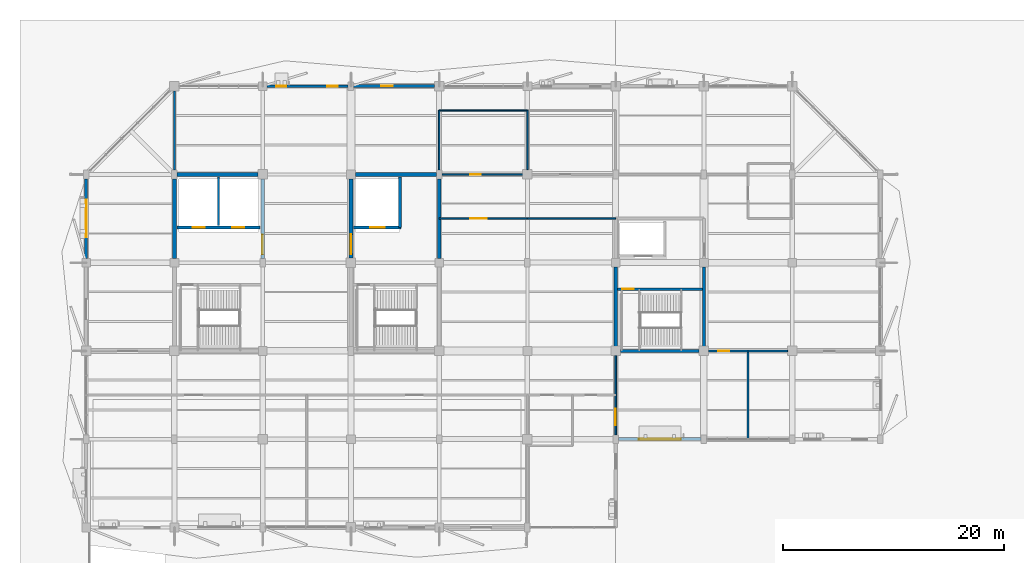
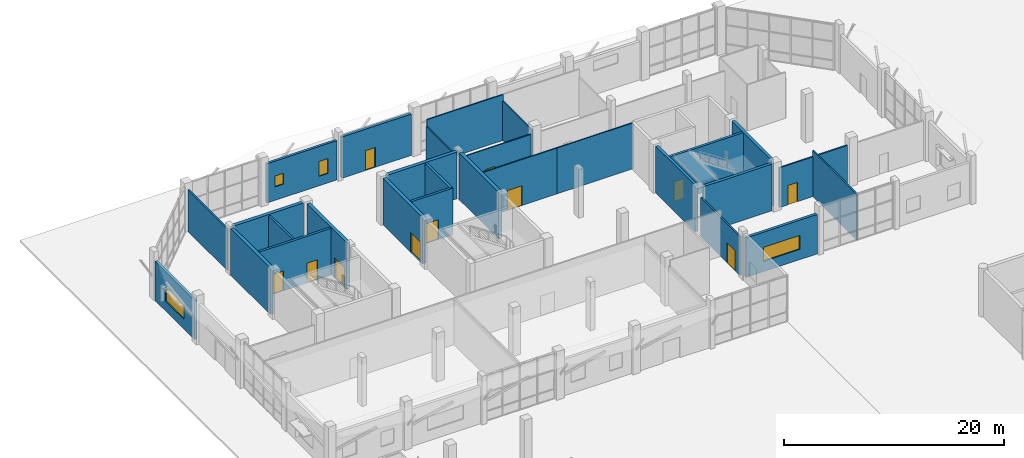
# One storey, part 100 of 123: 29 walls, 11 doors, 4 windows, 15 openings.
"""IFC4 building model written with IfcOpenShell, lengths in metres."""

from ifc_helpers import new_model, si_unit, direction, frame, frame_2d, origin, place, context, subcontext, project, spatial, rectangle, extrude, material, layer, layer_set, type_object, element, fill, save


model = new_model("IFC4")

# Units and contexts
model_context = context("Model", 3, precision=1e-05, world=origin(), true_north=direction((0.0, 1.0)))
body_context = subcontext(model_context, "Body", "Model", "MODEL_VIEW")
ifc_project = project(units=[si_unit("LENGTHUNIT", "METRE"), si_unit("AREAUNIT", "SQUARE_METRE"), si_unit("VOLUMEUNIT", "CUBIC_METRE"), si_unit("PLANEANGLEUNIT", "RADIAN"), si_unit("MASSUNIT", "GRAM", prefix="KILO")], contexts=[model_context])

# Site, building, storey
site_placement = place(None, origin())
site = spatial("IfcSite", under=ifc_project, at=site_placement, CompositionType="ELEMENT")
building_placement = place(site_placement, origin())
building = spatial("IfcBuilding", under=site, at=building_placement, Name="Tenunan Teduh Sports Hall", CompositionType="ELEMENT")
storey_placement = place(building_placement, origin())
storey = spatial("IfcBuildingStorey", under=building, at=storey_placement, Name="L00", CompositionType="ELEMENT", Elevation=0.0)

# Wall, openings, doors
ifc_material_1 = material(Name="Concrete C40/50", Category="concrete")
ifc_layer_1 = layer(ifc_material_1, 0.25)
ifc_layer_set_1 = layer_set([ifc_layer_1], Name="Concrete C40/50")
wall_type_1 = type_object("IfcWallType", Name="WL-COR-250", PredefinedType="SOLIDWALL", material=ifc_layer_set_1)
wall_1_placement = place(storey_placement, frame((14.25, 105.199951171875, 0.0), z_axis=(0.0, 0.0, 1.0), x_axis=(1.0, 0.0, 0.0)))
wall_1 = element("IfcWall", 1, at=wall_1_placement, inside=storey, type_object=wall_type_1, Name="WL-COR-L00-017", PredefinedType="SOLIDWALL", context=body_context, shape_type="SweptSolid", body=[
    extrude(rectangle(XDim=7.5, YDim=0.25, at=frame_2d((3.75, 0.0))), origin(), (0.0, 0.0, 1.0), 5.179931640625),
])
opening_1_placement = place(wall_1_placement, frame((1.39990234375, 0.0, 0.0)))
opening_1 = element("IfcOpeningElement", 2, at=opening_1_placement, cuts=wall_1, Name="Opening LD-1", PredefinedType="OPENING", context=body_context, shape_type="SweptSolid", body=[
    extrude(rectangle(XDim=1.10009765625, YDim=2.199951171875, at=frame_2d((0.550048828125, 1.10009765625))), frame((0.0, 0.135009765625, 0.0), z_axis=(0.0, -1.0, 0.0), x_axis=(1.0, 0.0, 0.0)), (0.0, 0.0, 1.0), 0.27001953125),
])
opening_2_placement = place(wall_1_placement, frame((5.0, 0.0, 0.0)))
opening_2 = element("IfcOpeningElement", 3, at=opening_2_placement, cuts=wall_1, Name="Opening LD-1", PredefinedType="OPENING", context=body_context, shape_type="SweptSolid", body=[
    extrude(rectangle(XDim=1.10009765625, YDim=2.199951171875, at=frame_2d((0.550048828125, 1.10009765625))), frame((0.0, 0.135009765625, 0.0), z_axis=(0.0, -1.0, 0.0), x_axis=(1.0, 0.0, 0.0)), (0.0, 0.0, 1.0), 0.27001953125),
])
ifc_material_2 = material(Name="Brushed stainless steel landing doors", Category="steel")
door_type_1 = type_object("IfcDoorType", Name="LDR-01", OperationType="DOUBLE_DOOR_SLIDING", PredefinedType="DOOR", material=ifc_material_2)
door_1_placement = place(opening_1_placement, origin())
door_1 = element("IfcDoor", 4, at=door_1_placement, inside=storey, type_object=door_type_1, Name="Lift Landing Door LD-03", OperationType="DOUBLE_DOOR_SLIDING", OverallHeight=2.199951171875, OverallWidth=1.10009765625, PredefinedType="DOOR", context=body_context, shape_type="SweptSolid", body=[
    extrude(rectangle(XDim=1.10009765625, YDim=2.199951171875, at=frame_2d((0.550048828125, 1.10009765625))), frame((0.0, 0.02490234375, 0.0), z_axis=(0.0, -1.0, 0.0), x_axis=(1.0, 0.0, 0.0)), (0.0, 0.0, 1.0), 0.050048828125),
])
fill(opening_1, door_1)
door_2_placement = place(opening_2_placement, origin())
door_2 = element("IfcDoor", 5, at=door_2_placement, inside=storey, type_object=door_type_1, Name="Lift Landing Door LD-04", OperationType="DOUBLE_DOOR_SLIDING", OverallHeight=2.199951171875, OverallWidth=1.10009765625, PredefinedType="DOOR", context=body_context, shape_type="SweptSolid", body=[
    extrude(rectangle(XDim=1.10009765625, YDim=2.199951171875, at=frame_2d((0.550048828125, 1.10009765625))), frame((0.0, 0.02490234375, 0.0), z_axis=(0.0, -1.0, 0.0), x_axis=(1.0, 0.0, 0.0)), (0.0, 0.0, 1.0), 0.050048828125),
])
fill(opening_2, door_2)

# Wall, opening, door
wall_2_placement = place(storey_placement, frame((30.25, 105.199951171875, 0.0), z_axis=(0.0, 0.0, 1.0), x_axis=(1.0, 0.0, 0.0)))
wall_2 = element("IfcWall", 6, at=wall_2_placement, inside=storey, type_object=wall_type_1, Name="WL-COR-L00-071", PredefinedType="SOLIDWALL", context=body_context, shape_type="SweptSolid", body=[
    extrude(rectangle(XDim=4.300048828125, YDim=0.25, at=frame_2d((2.14990234375, 0.0))), origin(), (0.0, 0.0, 1.0), 5.179931640625),
])
opening_3_placement = place(wall_2_placement, frame((1.5, 0.0, 0.0)))
opening_3 = element("IfcOpeningElement", 7, at=opening_3_placement, cuts=wall_2, Name="Opening LD-2", PredefinedType="OPENING", context=body_context, shape_type="SweptSolid", body=[
    extrude(rectangle(XDim=1.300048828125, YDim=2.199951171875, at=frame_2d((0.64990234375, 1.10009765625))), frame((0.0, 0.135009765625, 0.0), z_axis=(0.0, -1.0, 0.0), x_axis=(1.0, 0.0, 0.0)), (0.0, 0.0, 1.0), 0.27001953125),
])
ifc_material_3 = material(Name="Fire-fighting lift stainless landing doors")
door_type_2 = type_object("IfcDoorType", Name="LDR-02", OperationType="DOUBLE_DOOR_SLIDING", PredefinedType="DOOR", material=ifc_material_3)
door_3_placement = place(opening_3_placement, origin())
door_3 = element("IfcDoor", 8, at=door_3_placement, inside=storey, type_object=door_type_2, Name="Lift Landing Door LD-14", OperationType="DOUBLE_DOOR_SLIDING", OverallHeight=2.199951171875, OverallWidth=1.300048828125, PredefinedType="DOOR", context=body_context, shape_type="SweptSolid", body=[
    extrude(rectangle(XDim=1.300048828125, YDim=2.199951171875, at=frame_2d((0.64990234375, 1.10009765625))), frame((0.0, 0.02490234375, 0.0), z_axis=(0.0, -1.0, 0.0), x_axis=(1.0, 0.0, 0.0)), (0.0, 0.0, 1.0), 0.050048828125),
])
fill(opening_3, door_3)

# Wall
wall_3_placement = place(storey_placement, frame((34.449951171875, 105.199951171875, 0.0), z_axis=(0.0, 0.0, 1.0), x_axis=(0.0, 1.0, 0.0)))
element("IfcWall", 9, at=wall_3_placement, inside=storey, type_object=wall_type_1, Name="WL-COR-L00-072", PredefinedType="SOLIDWALL", context=body_context, shape_type="SweptSolid", body=[
    extrude(rectangle(XDim=4.550048828125, YDim=0.25, at=frame_2d((2.27490234375, 0.0))), origin(), (0.0, 0.0, 1.0), 5.179931640625),
])

# Wall, opening, door
wall_4_placement = place(storey_placement, frame((54.14990234375, 99.60009765625, 0.0), z_axis=(0.0, 0.0, 1.0), x_axis=(1.0, 0.0, 0.0)))
wall_4 = element("IfcWall", 10, at=wall_4_placement, inside=storey, type_object=wall_type_1, Name="WL-COR-L00-124", PredefinedType="SOLIDWALL", context=body_context, shape_type="SweptSolid", body=[
    extrude(rectangle(XDim=7.7001953125, YDim=0.25, at=frame_2d((3.85009765625, 0.0))), origin(), (0.0, 0.0, 1.0), 5.179931640625),
])
opening_4_placement = place(wall_4_placement, frame((0.449951171875, 0.0, 0.0)))
opening_4 = element("IfcOpeningElement", 11, at=opening_4_placement, cuts=wall_4, Name="Opening FD-02", PredefinedType="OPENING", context=body_context, shape_type="SweptSolid", body=[
    extrude(rectangle(XDim=1.050048828125, YDim=2.199951171875, at=frame_2d((0.52490234375, 1.10009765625))), frame((0.0, 0.135009765625, 0.0), z_axis=(0.0, -1.0, 0.0), x_axis=(1.0, 0.0, 0.0)), (0.0, 0.0, 1.0), 0.27001953125),
])
ifc_material_4 = material(Name="Fire-rated steel leaf and frame", Category="steel")
door_type_3 = type_object("IfcDoorType", Name="FDR-02", OperationType="SINGLE_SWING_RIGHT", PredefinedType="DOOR", material=ifc_material_4)
door_4_placement = place(opening_4_placement, frame((1.050048828125, 0.0, 0.0), z_axis=(0.0, 0.0, 1.0), x_axis=(-1.0, 0.0, 0.0)))
door_4 = element("IfcDoor", 12, at=door_4_placement, inside=storey, type_object=door_type_3, Name="DR-INT-L00-048", OperationType="SINGLE_SWING_RIGHT", OverallHeight=2.199951171875, OverallWidth=1.050048828125, PredefinedType="DOOR", context=body_context, shape_type="SweptSolid", body=[
    extrude(rectangle(XDim=1.050048828125, YDim=2.199951171875, at=frame_2d((0.52490234375, 1.10009765625))), frame((0.0, 0.02490234375, 0.0), z_axis=(0.0, -1.0, 0.0), x_axis=(1.0, 0.0, 0.0)), (0.0, 0.0, 1.0), 0.050048828125),
])
fill(opening_4, door_4)

# Wall, openings, windows
ifc_material_5 = material(Name="Precast concrete C40/50", Category="concrete")
ifc_layer_2 = layer(ifc_material_5, 0.25)
ifc_layer_set_2 = layer_set([ifc_layer_2], Name="Precast concrete C40/50")
wall_type_2 = type_object("IfcWallType", Name="WL-EXT-250", PredefinedType="SOLIDWALL", material=ifc_layer_set_2)
wall_5_placement = place(storey_placement, frame((22.39990234375, 118.0, 0.0), z_axis=(0.0, 0.0, 1.0), x_axis=(1.0, 0.0, 0.0)))
wall_5 = element("IfcWall", 13, at=wall_5_placement, inside=storey, type_object=wall_type_2, Name="WL-EXT-L00-155", PredefinedType="SOLIDWALL", context=body_context, shape_type="SweptSolid", body=[
    extrude(rectangle(XDim=7.35009765625, YDim=0.25, at=frame_2d((3.675048828125, 0.0))), origin(), (0.0, 0.0, 1.0), 4.360107421875),
])
opening_5_placement = place(wall_5_placement, frame((0.85009765625, 0.0, 1.5)))
opening_5 = element("IfcOpeningElement", 14, at=opening_5_placement, cuts=wall_5, Name="Opening W-08", PredefinedType="OPENING", context=body_context, shape_type="SweptSolid", body=[
    extrude(rectangle(XDim=0.89990234375, YDim=1.199951171875, at=frame_2d((0.449951171875, 0.60009765625))), frame((0.0, 0.135009765625, 0.0), z_axis=(0.0, -1.0, 0.0), x_axis=(1.0, 0.0, 0.0)), (0.0, 0.0, 1.0), 0.27001953125),
])
opening_6_placement = place(wall_5_placement, frame((5.449951171875, 0.0, 1.050048828125)))
opening_6 = element("IfcOpeningElement", 15, at=opening_6_placement, cuts=wall_5, Name="Opening W-17", PredefinedType="OPENING", context=body_context, shape_type="SweptSolid", body=[
    extrude(rectangle(XDim=0.949951171875, YDim=1.64990234375, at=frame_2d((0.47509765625, 0.824951171875))), frame((0.0, 0.135009765625, 0.0), z_axis=(0.0, -1.0, 0.0), x_axis=(1.0, 0.0, 0.0)), (0.0, 0.0, 1.0), 0.27001953125),
])
ifc_material_6 = material(Name="Thermally broken aluminium and Low-E glazing", Category="aluminium")
window_type_1 = type_object("IfcWindowType", Name="WIN-08", PartitioningType="SINGLE_PANEL", PredefinedType="WINDOW", material=ifc_material_6)
window_1_placement = place(opening_5_placement, origin())
window_1 = element("IfcWindow", 16, at=window_1_placement, inside=storey, type_object=window_type_1, Name="WIN-L00-036", OverallHeight=1.199951171875, OverallWidth=0.89990234375, PartitioningType="SINGLE_PANEL", PredefinedType="WINDOW", context=body_context, shape_type="SweptSolid", body=[
    extrude(rectangle(XDim=0.89990234375, YDim=1.199951171875, at=frame_2d((0.449951171875, 0.60009765625))), frame((0.0, 0.030029296875, 0.0), z_axis=(0.0, -1.0, 0.0), x_axis=(1.0, 0.0, 0.0)), (0.0, 0.0, 1.0), 0.06005859375),
])
fill(opening_5, window_1)
ifc_material_7 = material(Name="Thermally broken aluminium and Low-E glazing", Category="aluminium")
window_type_2 = type_object("IfcWindowType", Name="WIN-17", PartitioningType="SINGLE_PANEL", PredefinedType="WINDOW", material=ifc_material_7)
window_2_placement = place(opening_6_placement, origin())
window_2 = element("IfcWindow", 17, at=window_2_placement, inside=storey, type_object=window_type_2, Name="WIN-L00-037", OverallHeight=1.64990234375, OverallWidth=0.949951171875, PartitioningType="SINGLE_PANEL", PredefinedType="WINDOW", context=body_context, shape_type="SweptSolid", body=[
    extrude(rectangle(XDim=0.949951171875, YDim=1.64990234375, at=frame_2d((0.47509765625, 0.824951171875))), frame((0.0, 0.030029296875, 0.0), z_axis=(0.0, -1.0, 0.0), x_axis=(1.0, 0.0, 0.0)), (0.0, 0.0, 1.0), 0.06005859375),
])
fill(opening_6, window_2)

# Wall, opening, window
ifc_material_8 = material(Name="Concrete C40/50", Category="concrete")
ifc_layer_3 = layer(ifc_material_8, 0.280029296875)
ifc_layer_set_3 = layer_set([ifc_layer_3], Name="Concrete C40/50")
wall_type_3 = type_object("IfcWallType", Name="WL-EXT-280", PredefinedType="SOLIDWALL", material=ifc_layer_set_3)
wall_6_placement = place(storey_placement, frame((54.25, 86.0, 0.0), z_axis=(0.0, 0.0, 1.0), x_axis=(1.0, 0.0, 0.0)))
wall_6 = element("IfcWall", 18, at=wall_6_placement, inside=storey, type_object=wall_type_3, Name="WL-EXT-L00-151", PredefinedType="SOLIDWALL", context=body_context, shape_type="SweptSolid", body=[
    extrude(rectangle(XDim=7.5, YDim=0.280029296875, at=frame_2d((3.75, 0.0))), origin(), (0.0, 0.0, 1.0), 4.389892578125),
])
opening_7_placement = place(wall_6_placement, frame((1.85009765625, 0.0, 1.14990234375)))
opening_7 = element("IfcOpeningElement", 19, at=opening_7_placement, cuts=wall_6, Name="Opening W-24", PredefinedType="OPENING", context=body_context, shape_type="SweptSolid", body=[
    extrude(rectangle(XDim=3.800048828125, YDim=1.550048828125, at=frame_2d((1.89990234375, 0.77490234375))), frame((0.0, 0.14990234375, 0.0), z_axis=(0.0, -1.0, 0.0), x_axis=(1.0, 0.0, 0.0)), (0.0, 0.0, 1.0), 0.300048828125),
])
ifc_material_9 = material(Name="Thermally broken aluminium and Low-E glazing", Category="aluminium")
window_type_3 = type_object("IfcWindowType", Name="WIN-24", PartitioningType="TRIPLE_PANEL_HORIZONTAL", PredefinedType="WINDOW", material=ifc_material_9)
window_3_placement = place(opening_7_placement, origin())
window_3 = element("IfcWindow", 20, at=window_3_placement, inside=storey, type_object=window_type_3, Name="WIN-L00-032", OverallHeight=1.550048828125, OverallWidth=3.800048828125, PartitioningType="SINGLE_PANEL", PredefinedType="WINDOW", context=body_context, shape_type="SweptSolid", body=[
    extrude(rectangle(XDim=3.800048828125, YDim=1.550048828125, at=frame_2d((1.89990234375, 0.77490234375))), frame((0.0, 0.030029296875, 0.0), z_axis=(0.0, -1.0, 0.0), x_axis=(1.0, 0.0, 0.0)), (0.0, 0.0, 1.0), 0.06005859375),
])
fill(opening_7, window_3)

# Wall, opening, door
wall_7_placement = place(storey_placement, frame((30.25, 118.0, 0.0), z_axis=(0.0, 0.0, 1.0), x_axis=(1.0, 0.0, 0.0)))
wall_7 = element("IfcWall", 21, at=wall_7_placement, inside=storey, type_object=wall_type_3, Name="WL-EXT-L00-156", PredefinedType="SOLIDWALL", context=body_context, shape_type="SweptSolid", body=[
    extrude(rectangle(XDim=7.324951171875, YDim=0.280029296875, at=frame_2d((3.66259765625, 0.0))), origin(), (0.0, 0.0, 1.0), 4.590087890625),
])
opening_8_placement = place(wall_7_placement, frame((2.489990234375, 0.0, 0.0)))
opening_8 = element("IfcOpeningElement", 22, at=opening_8_placement, cuts=wall_7, Name="Opening ED-04", PredefinedType="OPENING", context=body_context, shape_type="SweptSolid", body=[
    extrude(rectangle(XDim=1.050048828125, YDim=2.199951171875, at=frame_2d((0.52490234375, 1.10009765625))), frame((0.0, 0.14990234375, 0.0), z_axis=(0.0, -1.0, 0.0), x_axis=(1.0, 0.0, 0.0)), (0.0, 0.0, 1.0), 0.300048828125),
])
ifc_material_10 = material(Name="Powder-coated aluminium and laminated safety glass", Category="aluminium")
door_type_4 = type_object("IfcDoorType", Name="EDR-04", OperationType="SINGLE_SWING_RIGHT", PredefinedType="DOOR", material=ifc_material_10)
door_5_placement = place(opening_8_placement, origin())
door_5 = element("IfcDoor", 23, at=door_5_placement, inside=storey, type_object=door_type_4, Name="DR-EXT-L00-037", OperationType="SINGLE_SWING_RIGHT", OverallHeight=2.199951171875, OverallWidth=1.050048828125, PredefinedType="DOOR", context=body_context, shape_type="SweptSolid", body=[
    extrude(rectangle(XDim=1.050048828125, YDim=2.199951171875, at=frame_2d((0.52490234375, 1.10009765625))), frame((0.0, 0.02490234375, 0.0), z_axis=(0.0, -1.0, 0.0), x_axis=(1.0, 0.0, 0.0)), (0.0, 0.0, 1.0), 0.050048828125),
])
fill(opening_8, door_5)

# Wall, opening, window
wall_8_placement = place(storey_placement, frame((6.0, 102.39990234375, 0.0), z_axis=(0.0, 0.0, 1.0), x_axis=(0.0, 1.0, 0.0)))
wall_8 = element("IfcWall", 24, at=wall_8_placement, inside=storey, type_object=wall_type_3, Name="WL-EXT-L00-161", PredefinedType="SOLIDWALL", context=body_context, shape_type="SweptSolid", body=[
    extrude(rectangle(XDim=7.2001953125, YDim=0.280029296875, at=frame_2d((3.60009765625, 0.0))), origin(), (0.0, 0.0, 1.0), 4.360107421875),
])
opening_9_placement = place(wall_8_placement, frame((1.89990234375, 0.0, 1.10009765625)))
opening_9 = element("IfcOpeningElement", 25, at=opening_9_placement, cuts=wall_8, Name="Opening W-15", PredefinedType="OPENING", context=body_context, shape_type="SweptSolid", body=[
    extrude(rectangle(XDim=3.39990234375, YDim=1.60009765625, at=frame_2d((1.699951171875, 0.800048828125))), frame((0.0, 0.14990234375, 0.0), z_axis=(0.0, -1.0, 0.0), x_axis=(1.0, 0.0, 0.0)), (0.0, 0.0, 1.0), 0.300048828125),
])
ifc_material_11 = material(Name="Thermally broken aluminium and Low-E glazing", Category="aluminium")
window_type_4 = type_object("IfcWindowType", Name="WIN-15", PartitioningType="TRIPLE_PANEL_VERTICAL", PredefinedType="WINDOW", material=ifc_material_11)
window_4_placement = place(opening_9_placement, origin())
window_4 = element("IfcWindow", 26, at=window_4_placement, inside=storey, type_object=window_type_4, Name="WIN-L00-042", OverallHeight=1.60009765625, OverallWidth=3.39990234375, PartitioningType="SINGLE_PANEL", PredefinedType="WINDOW", context=body_context, shape_type="SweptSolid", body=[
    extrude(rectangle(XDim=3.39990234375, YDim=1.60009765625, at=frame_2d((1.699951171875, 0.800048828125))), frame((0.0, 0.030029296875, 0.0), z_axis=(0.0, -1.0, 0.0), x_axis=(1.0, 0.0, 0.0)), (0.0, 0.0, 1.0), 0.06005859375),
])
fill(opening_9, window_4)

# Wall, opening, door
ifc_material_12 = material(Name="Moisture-resistant masonry", Category="masonry")
ifc_layer_4 = layer(ifc_material_12, 0.125)
ifc_layer_set_4 = layer_set([ifc_layer_4], Name="Moisture-resistant masonry")
wall_type_4 = type_object("IfcWallType", Name="WL-PRT-125", PredefinedType="PARTITIONING", material=ifc_layer_set_4)
wall_9_placement = place(storey_placement, frame((38.0, 106.0, 0.0), z_axis=(0.0, 0.0, 1.0), x_axis=(1.0, 0.0, 0.0)))
wall_9 = element("IfcWall", 27, at=wall_9_placement, inside=storey, type_object=wall_type_4, Name="WL-PRT-L00-318", PredefinedType="PARTITIONING", context=body_context, shape_type="SweptSolid", body=[
    extrude(rectangle(XDim=8.0, YDim=0.125, at=frame_2d((4.0, 0.0))), origin(), (0.0, 0.0, 1.0), 5.10009765625),
])
opening_10_placement = place(wall_9_placement, frame((2.800048828125, 0.0, 0.0)))
opening_10 = element("IfcOpeningElement", 28, at=opening_10_placement, cuts=wall_9, Name="Opening ID-04", PredefinedType="OPENING", context=body_context, shape_type="SweptSolid", body=[
    extrude(rectangle(XDim=1.5, YDim=2.199951171875, at=frame_2d((0.75, 1.10009765625))), frame((0.0, 0.072509765625, 0.0), z_axis=(0.0, -1.0, 0.0), x_axis=(1.0, 0.0, 0.0)), (0.0, 0.0, 1.0), 0.14501953125),
])
ifc_material_13 = material(Name="Acoustic studio timber pair", Category="wood")
door_type_5 = type_object("IfcDoorType", Name="IDR-04", OperationType="DOUBLE_DOOR_SINGLE_SWING", PredefinedType="DOOR", material=ifc_material_13)
door_6_placement = place(opening_10_placement, frame((1.5, 0.0, 0.0), z_axis=(0.0, 0.0, 1.0), x_axis=(-1.0, 0.0, 0.0)))
door_6 = element("IfcDoor", 29, at=door_6_placement, inside=storey, type_object=door_type_5, Name="DR-INT-L00-123", OperationType="DOUBLE_DOOR_SINGLE_SWING", OverallHeight=2.199951171875, OverallWidth=1.5, PredefinedType="DOOR", context=body_context, shape_type="SweptSolid", body=[
    extrude(rectangle(XDim=1.5, YDim=2.199951171875, at=frame_2d((0.75, 1.10009765625))), frame((0.0, 0.02490234375, 0.0), z_axis=(0.0, -1.0, 0.0), x_axis=(1.0, 0.0, 0.0)), (0.0, 0.0, 1.0), 0.050048828125),
])
fill(opening_10, door_6)

# Wall
wall_10_placement = place(storey_placement, frame((46.0, 106.0, 0.0), z_axis=(0.0, 0.0, 1.0), x_axis=(1.0, 0.0, 0.0)))
element("IfcWall", 30, at=wall_10_placement, inside=storey, type_object=wall_type_4, Name="WL-PRT-L00-319", PredefinedType="PARTITIONING", context=body_context, shape_type="SweptSolid", body=[
    extrude(rectangle(XDim=8.0, YDim=0.125, at=frame_2d((4.0, 0.0))), origin(), (0.0, 0.0, 1.0), 5.10009765625),
])

# Wall, opening, door
wall_11_placement = place(storey_placement, frame((38.25, 110.0, 0.0), z_axis=(0.0, 0.0, 1.0), x_axis=(1.0, 0.0, 0.0)))
wall_11 = element("IfcWall", 31, at=wall_11_placement, inside=storey, type_object=wall_type_4, Name="WL-PRT-L00-320", PredefinedType="PARTITIONING", context=body_context, shape_type="SweptSolid", body=[
    extrude(rectangle(XDim=7.324951171875, YDim=0.125, at=frame_2d((3.66259765625, 0.0))), origin(), (0.0, 0.0, 1.0), 4.340087890625),
])
opening_11_placement = place(wall_11_placement, frame((2.56005859375, 0.0, 0.0)))
opening_11 = element("IfcOpeningElement", 32, at=opening_11_placement, cuts=wall_11, Name="Opening ID-01", PredefinedType="OPENING", context=body_context, shape_type="SweptSolid", body=[
    extrude(rectangle(XDim=0.949951171875, YDim=2.10009765625, at=frame_2d((0.47509765625, 1.050048828125))), frame((0.0, 0.072509765625, 0.0), z_axis=(0.0, -1.0, 0.0), x_axis=(1.0, 0.0, 0.0)), (0.0, 0.0, 1.0), 0.14501953125),
])
ifc_material_14 = material(Name="Solid-core laminate timber", Category="wood")
door_type_6 = type_object("IfcDoorType", Name="IDR-01", OperationType="SINGLE_SWING_LEFT", PredefinedType="DOOR", material=ifc_material_14)
door_7_placement = place(opening_11_placement, frame((0.949951171875, 0.0, 0.0), z_axis=(0.0, 0.0, 1.0), x_axis=(-1.0, 0.0, 0.0)))
door_7 = element("IfcDoor", 33, at=door_7_placement, inside=storey, type_object=door_type_6, Name="DR-INT-L00-124", OperationType="SINGLE_SWING_LEFT", OverallHeight=2.10009765625, OverallWidth=0.949951171875, PredefinedType="DOOR", context=body_context, shape_type="SweptSolid", body=[
    extrude(rectangle(XDim=0.949951171875, YDim=2.10009765625, at=frame_2d((0.47509765625, 1.050048828125))), frame((0.0, 0.02490234375, 0.0), z_axis=(0.0, -1.0, 0.0), x_axis=(1.0, 0.0, 0.0)), (0.0, 0.0, 1.0), 0.050048828125),
])
fill(opening_11, door_7)

# Walls
wall_12_placement = place(storey_placement, frame((38.0, 115.800048828125, 0.0), z_axis=(0.0, 0.0, 1.0), x_axis=(1.0, 0.0, 0.0)))
element("IfcWall", 34, at=wall_12_placement, inside=storey, type_object=wall_type_4, Name="WL-PRT-L00-323", PredefinedType="PARTITIONING", context=body_context, shape_type="SweptSolid", body=[
    extrude(rectangle(XDim=8.0, YDim=0.125, at=frame_2d((4.0, 0.0))), origin(), (0.0, 0.0, 1.0), 5.10009765625),
])
wall_13_placement = place(storey_placement, frame((38.0, 110.39990234375, 0.0), z_axis=(0.0, 0.0, 1.0), x_axis=(0.0, 1.0, 0.0)))
element("IfcWall", 35, at=wall_13_placement, inside=storey, type_object=wall_type_4, Name="WL-PRT-L00-325", PredefinedType="PARTITIONING", context=body_context, shape_type="SweptSolid", body=[
    extrude(rectangle(XDim=5.400146484375, YDim=0.125, at=frame_2d((2.7001953125, 0.0))), origin(), (0.0, 0.0, 1.0), 4.340087890625),
])
wall_14_placement = place(storey_placement, frame((46.0, 110.425048828125, 0.0), z_axis=(0.0, 0.0, 1.0), x_axis=(0.0, 1.0, 0.0)))
element("IfcWall", 36, at=wall_14_placement, inside=storey, type_object=wall_type_4, Name="WL-PRT-L00-326", PredefinedType="PARTITIONING", context=body_context, shape_type="SweptSolid", body=[
    extrude(rectangle(XDim=5.375, YDim=0.125, at=frame_2d((2.6875, 0.0))), origin(), (0.0, 0.0, 1.0), 4.389892578125),
])
ifc_material_15 = material(Name="Acoustic stud and double plasterboard")
ifc_layer_5 = layer(ifc_material_15, 0.14990234375)
ifc_layer_set_5 = layer_set([ifc_layer_5], Name="Acoustic stud and double plasterboard")
wall_type_5 = type_object("IfcWallType", Name="WL-PRT-150", PredefinedType="PARTITIONING", material=ifc_layer_set_5)
wall_15_placement = place(storey_placement, frame((14.0, 110.39990234375, 0.0), z_axis=(0.0, 0.0, 1.0), x_axis=(0.0, 1.0, 0.0)))
element("IfcWall", 37, at=wall_15_placement, inside=storey, type_object=wall_type_5, Name="WL-PRT-L00-312", PredefinedType="PARTITIONING", context=body_context, shape_type="SweptSolid", body=[
    extrude(rectangle(XDim=7.175048828125, YDim=0.14990234375, at=frame_2d((3.58740234375, 0.0))), origin(), (0.0, 0.0, 1.0), 4.639892578125),
])

# Wall, opening, door
wall_16_placement = place(storey_placement, frame((54.0, 86.39990234375, 0.0), z_axis=(0.0, 0.0, 1.0), x_axis=(0.0, 1.0, 0.0)))
wall_16 = element("IfcWall", 38, at=wall_16_placement, inside=storey, type_object=wall_type_5, Name="WL-PRT-L00-313", PredefinedType="PARTITIONING", context=body_context, shape_type="SweptSolid", body=[
    extrude(rectangle(XDim=7.175048828125, YDim=0.14990234375, at=frame_2d((3.58740234375, 0.0))), origin(), (0.0, 0.0, 1.0), 4.340087890625),
])
opening_12_placement = place(wall_16_placement, frame((0.860107421875, 0.0, 0.0)))
opening_12 = element("IfcOpeningElement", 39, at=opening_12_placement, cuts=wall_16, Name="Opening ID-04", PredefinedType="OPENING", context=body_context, shape_type="SweptSolid", body=[
    extrude(rectangle(XDim=1.5, YDim=2.199951171875, at=frame_2d((0.75, 1.10009765625))), frame((0.0, 0.0849609375, 0.0), z_axis=(0.0, -1.0, 0.0), x_axis=(1.0, 0.0, 0.0)), (0.0, 0.0, 1.0), 0.169921875),
])
door_8_placement = place(opening_12_placement, origin())
door_8 = element("IfcDoor", 40, at=door_8_placement, inside=storey, type_object=door_type_5, Name="DR-INT-L00-120", OperationType="DOUBLE_DOOR_SINGLE_SWING", OverallHeight=2.199951171875, OverallWidth=1.5, PredefinedType="DOOR", context=body_context, shape_type="SweptSolid", body=[
    extrude(rectangle(XDim=1.5, YDim=2.199951171875, at=frame_2d((0.75, 1.10009765625))), frame((0.0, 0.02490234375, 0.0), z_axis=(0.0, -1.0, 0.0), x_axis=(1.0, 0.0, 0.0)), (0.0, 0.0, 1.0), 0.050048828125),
])
fill(opening_12, door_8)

wall_17_placement = place(storey_placement, frame((62.425048828125, 94.0, 0.0), z_axis=(0.0, 0.0, 1.0), x_axis=(1.0, 0.0, 0.0)))
wall_17 = element("IfcWall", 41, at=wall_17_placement, inside=storey, type_object=wall_type_5, Name="WL-PRT-L00-314", PredefinedType="PARTITIONING", context=body_context, shape_type="SweptSolid", body=[
    extrude(rectangle(XDim=3.574951171875, YDim=0.14990234375, at=frame_2d((1.78759765625, 0.0))), origin(), (0.0, 0.0, 1.0), 4.419921875),
])
opening_13_placement = place(wall_17_placement, frame((0.889892578125, 0.0, 0.0)))
opening_13 = element("IfcOpeningElement", 42, at=opening_13_placement, cuts=wall_17, Name="Opening ID-03", PredefinedType="OPENING", context=body_context, shape_type="SweptSolid", body=[
    extrude(rectangle(XDim=1.0, YDim=2.14990234375, at=frame_2d((0.5, 1.074951171875))), frame((0.0, 0.0849609375, 0.0), z_axis=(0.0, -1.0, 0.0), x_axis=(1.0, 0.0, 0.0)), (0.0, 0.0, 1.0), 0.169921875),
])
ifc_material_16 = material(Name="Accessible wide HPL leaf")
door_type_7 = type_object("IfcDoorType", Name="IDR-03", OperationType="SINGLE_SWING_LEFT", PredefinedType="DOOR", material=ifc_material_16)
door_9_placement = place(opening_13_placement, origin())
door_9 = element("IfcDoor", 43, at=door_9_placement, inside=storey, type_object=door_type_7, Name="DR-INT-L00-121", OperationType="SINGLE_SWING_RIGHT", OverallHeight=2.14990234375, OverallWidth=1.0, PredefinedType="DOOR", context=body_context, shape_type="SweptSolid", body=[
    extrude(rectangle(XDim=1.0, YDim=2.14990234375, at=frame_2d((0.5, 1.074951171875))), frame((0.0, 0.02490234375, 0.0), z_axis=(0.0, -1.0, 0.0), x_axis=(1.0, 0.0, 0.0)), (0.0, 0.0, 1.0), 0.050048828125),
])
fill(opening_13, door_9)

# Walls
wall_18_placement = place(storey_placement, frame((66.0, 94.0, 0.0), z_axis=(0.0, 0.0, 1.0), x_axis=(1.0, 0.0, 0.0)))
element("IfcWall", 44, at=wall_18_placement, inside=storey, type_object=wall_type_5, Name="WL-PRT-L00-315", PredefinedType="PARTITIONING", context=body_context, shape_type="SweptSolid", body=[
    extrude(rectangle(XDim=3.574951171875, YDim=0.14990234375, at=frame_2d((1.78759765625, 0.0))), origin(), (0.0, 0.0, 1.0), 4.419921875),
])
wall_19_placement = place(storey_placement, frame((66.0, 86.0, 0.0), z_axis=(0.0, 0.0, 1.0), x_axis=(0.0, 1.0, 0.0)))
element("IfcWall", 45, at=wall_19_placement, inside=storey, type_object=wall_type_5, Name="WL-PRT-L00-317", PredefinedType="PARTITIONING", context=body_context, shape_type="SweptSolid", body=[
    extrude(rectangle(XDim=8.0, YDim=0.14990234375, at=frame_2d((4.0, 0.0))), origin(), (0.0, 0.0, 1.0), 5.10009765625),
])
ifc_material_17 = material(Name="Autoclaved aerated concrete blockwork", Category="masonry")
ifc_layer_6 = layer(ifc_material_17, 0.199951171875)
ifc_layer_set_6 = layer_set([ifc_layer_6], Name="Autoclaved aerated concrete blockwork")
wall_type_6 = type_object("IfcWallType", Name="WL-PRT-200", PredefinedType="PARTITIONING", material=ifc_layer_set_6)
wall_20_placement = place(storey_placement, frame((18.0, 105.35009765625, 0.0), z_axis=(0.0, 0.0, 1.0), x_axis=(0.0, 1.0, 0.0)))
element("IfcWall", 46, at=wall_20_placement, inside=storey, type_object=wall_type_6, Name="WL-PRT-L00-018", PredefinedType="PARTITIONING", context=body_context, shape_type="SweptSolid", body=[
    extrude(rectangle(XDim=4.39990234375, YDim=0.199951171875, at=frame_2d((2.199951171875, 0.0))), origin(), (0.0, 0.0, 1.0), 5.10009765625),
])
ifc_material_18 = material(Name="Concrete C40/50", Category="concrete")
ifc_layer_7 = layer(ifc_material_18, 0.300048828125)
ifc_layer_set_7 = layer_set([ifc_layer_7], Name="Concrete C40/50")
wall_type_7 = type_object("IfcWallType", Name="WL-SHR-300", PredefinedType="SHEAR", material=ifc_layer_set_7)
wall_21_placement = place(storey_placement, frame((54.425048828125, 94.0, 0.0), z_axis=(0.0, 0.0, 1.0), x_axis=(1.0, 0.0, 0.0)))
element("IfcWall", 47, at=wall_21_placement, inside=storey, type_object=wall_type_7, Name="WL-COR-L00-118", PredefinedType="SHEAR", context=body_context, shape_type="SweptSolid", body=[
    extrude(rectangle(XDim=7.14990234375, YDim=0.300048828125, at=frame_2d((3.574951171875, 0.0))), origin(), (0.0, 0.0, 1.0), 5.179931640625),
])
for number, where, z_axis, x_axis, name in (
    (48, (54.0, 94.425048828125, 0.0), (0.0, 0.0, 1.0), (0.0, 1.0, 0.0), "WL-COR-L00-120"),
    (49, (62.0, 94.425048828125, 0.0), (0.0, 0.0, 1.0), (0.0, 1.0, 0.0), "WL-COR-L00-122"),
):
    element("IfcWall", number, at=place(storey_placement, frame(where, z_axis=z_axis, x_axis=x_axis)), inside=storey, type_object=wall_type_7, Name=name, PredefinedType="SHEAR", context=body_context, shape_type="SweptSolid", body=[
        extrude(rectangle(XDim=7.175048828125, YDim=0.300048828125, at=frame_2d((3.58740234375, 0.0))), origin(), (0.0, 0.0, 1.0), 5.179931640625),
    ])
ifc_material_19 = material(Name="Concrete C40/50", Category="concrete")
ifc_layer_8 = layer(ifc_material_19, 0.35009765625)
ifc_layer_set_8 = layer_set([ifc_layer_8], Name="Concrete C40/50")
wall_type_8 = type_object("IfcWallType", Name="WL-SHR-350", PredefinedType="SHEAR", material=ifc_layer_set_8)
wall_22_placement = place(storey_placement, frame((14.25, 110.0, 0.0), z_axis=(0.0, 0.0, 1.0), x_axis=(1.0, 0.0, 0.0)))
element("IfcWall", 50, at=wall_22_placement, inside=storey, type_object=wall_type_8, Name="WL-COR-L00-011", PredefinedType="SHEAR", context=body_context, shape_type="SweptSolid", body=[
    extrude(rectangle(XDim=7.324951171875, YDim=0.35009765625, at=frame_2d((3.66259765625, 0.0))), origin(), (0.0, 0.0, 1.0), 5.179931640625),
])
wall_23_placement = place(storey_placement, frame((14.0, 102.39990234375, 0.0), z_axis=(0.0, 0.0, 1.0), x_axis=(0.0, 1.0, 0.0)))
element("IfcWall", 51, at=wall_23_placement, inside=storey, type_object=wall_type_8, Name="WL-COR-L00-013", PredefinedType="SHEAR", context=body_context, shape_type="SweptSolid", body=[
    extrude(rectangle(XDim=7.2001953125, YDim=0.35009765625, at=frame_2d((3.60009765625, 0.0))), origin(), (0.0, 0.0, 1.0), 5.179931640625),
])

# Wall, opening, door
wall_24_placement = place(storey_placement, frame((22.0, 102.39990234375, 0.0), z_axis=(0.0, 0.0, 1.0), x_axis=(0.0, 1.0, 0.0)))
wall_24 = element("IfcWall", 52, at=wall_24_placement, inside=storey, type_object=wall_type_8, Name="WL-COR-L00-015", PredefinedType="SHEAR", context=body_context, shape_type="SweptSolid", body=[
    extrude(rectangle(XDim=7.175048828125, YDim=0.35009765625, at=frame_2d((3.58740234375, 0.0))), origin(), (0.0, 0.0, 1.0), 5.179931640625),
])
opening_14_placement = place(wall_24_placement, frame((0.35009765625, 0.0, 0.0)))
opening_14 = element("IfcOpeningElement", 53, at=opening_14_placement, cuts=wall_24, Name="Opening FD-03", PredefinedType="OPENING", context=body_context, shape_type="SweptSolid", body=[
    extrude(rectangle(XDim=1.800048828125, YDim=2.199951171875, at=frame_2d((0.89990234375, 1.10009765625))), frame((0.0, 0.18505859375, 0.0), z_axis=(0.0, -1.0, 0.0), x_axis=(1.0, 0.0, 0.0)), (0.0, 0.0, 1.0), 0.3701171875),
])
ifc_material_20 = material(Name="Fire-rated hardwood pair", Category="wood")
door_type_8 = type_object("IfcDoorType", Name="FDR-03", OperationType="DOUBLE_DOOR_SINGLE_SWING", PredefinedType="DOOR", material=ifc_material_20)
door_10_placement = place(opening_14_placement, frame((1.800048828125, 0.0, 0.0), z_axis=(0.0, 0.0, 1.0), x_axis=(-1.0, 0.0, 0.0)))
door_10 = element("IfcDoor", 54, at=door_10_placement, inside=storey, type_object=door_type_8, Name="DR-INT-L00-005", OperationType="DOUBLE_DOOR_SINGLE_SWING", OverallHeight=2.199951171875, OverallWidth=1.800048828125, PredefinedType="DOOR", context=body_context, shape_type="SweptSolid", body=[
    extrude(rectangle(XDim=1.800048828125, YDim=2.199951171875, at=frame_2d((0.89990234375, 1.10009765625))), frame((0.0, 0.02490234375, 0.0), z_axis=(0.0, -1.0, 0.0), x_axis=(1.0, 0.0, 0.0)), (0.0, 0.0, 1.0), 0.050048828125),
])
fill(opening_14, door_10)

# Wall
wall_25_placement = place(storey_placement, frame((30.39990234375, 110.0, 0.0), z_axis=(0.0, 0.0, 1.0), x_axis=(1.0, 0.0, 0.0)))
element("IfcWall", 55, at=wall_25_placement, inside=storey, type_object=wall_type_8, Name="WL-COR-L00-065", PredefinedType="SHEAR", context=body_context, shape_type="SweptSolid", body=[
    extrude(rectangle(XDim=7.35009765625, YDim=0.35009765625, at=frame_2d((3.675048828125, 0.0))), origin(), (0.0, 0.0, 1.0), 5.179931640625),
])

# Wall, opening, door
wall_26_placement = place(storey_placement, frame((30.0, 102.425048828125, 0.0), z_axis=(0.0, 0.0, 1.0), x_axis=(0.0, 1.0, 0.0)))
wall_26 = element("IfcWall", 56, at=wall_26_placement, inside=storey, type_object=wall_type_8, Name="WL-COR-L00-067", PredefinedType="SHEAR", context=body_context, shape_type="SweptSolid", body=[
    extrude(rectangle(XDim=7.175048828125, YDim=0.35009765625, at=frame_2d((3.58740234375, 0.0))), origin(), (0.0, 0.0, 1.0), 5.179931640625),
])
opening_15_placement = place(wall_26_placement, frame((0.35009765625, 0.0, 0.0)))
opening_15 = element("IfcOpeningElement", 57, at=opening_15_placement, cuts=wall_26, Name="Opening FD-03", PredefinedType="OPENING", context=body_context, shape_type="SweptSolid", body=[
    extrude(rectangle(XDim=1.800048828125, YDim=2.199951171875, at=frame_2d((0.89990234375, 1.10009765625))), frame((0.0, 0.18505859375, 0.0), z_axis=(0.0, -1.0, 0.0), x_axis=(1.0, 0.0, 0.0)), (0.0, 0.0, 1.0), 0.3701171875),
])
door_11_placement = place(opening_15_placement, origin())
door_11 = element("IfcDoor", 58, at=door_11_placement, inside=storey, type_object=door_type_8, Name="DR-INT-L00-028", OperationType="DOUBLE_DOOR_SINGLE_SWING", OverallHeight=2.199951171875, OverallWidth=1.800048828125, PredefinedType="DOOR", context=body_context, shape_type="SweptSolid", body=[
    extrude(rectangle(XDim=1.800048828125, YDim=2.199951171875, at=frame_2d((0.89990234375, 1.10009765625))), frame((0.0, 0.02490234375, 0.0), z_axis=(0.0, -1.0, 0.0), x_axis=(1.0, 0.0, 0.0)), (0.0, 0.0, 1.0), 0.050048828125),
])
fill(opening_15, door_11)

# Wall
wall_27_placement = place(storey_placement, frame((38.0, 102.39990234375, 0.0), z_axis=(0.0, 0.0, 1.0), x_axis=(0.0, 1.0, 0.0)))
element("IfcWall", 59, at=wall_27_placement, inside=storey, type_object=wall_type_8, Name="WL-COR-L00-069", PredefinedType="SHEAR", context=body_context, shape_type="SweptSolid", body=[
    extrude(rectangle(XDim=7.2001953125, YDim=0.35009765625, at=frame_2d((3.60009765625, 0.0))), origin(), (0.0, 0.0, 1.0), 5.179931640625),
])

save(model, "model.ifc")
